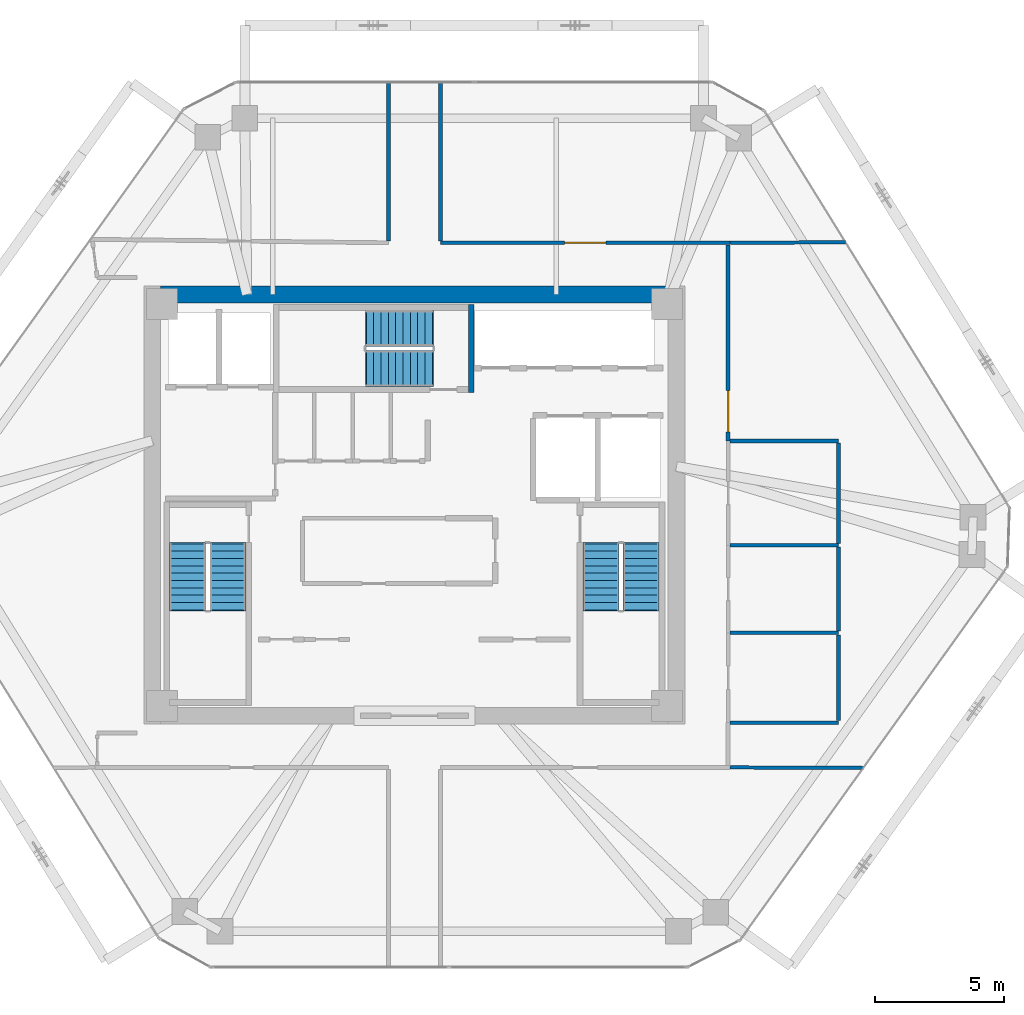
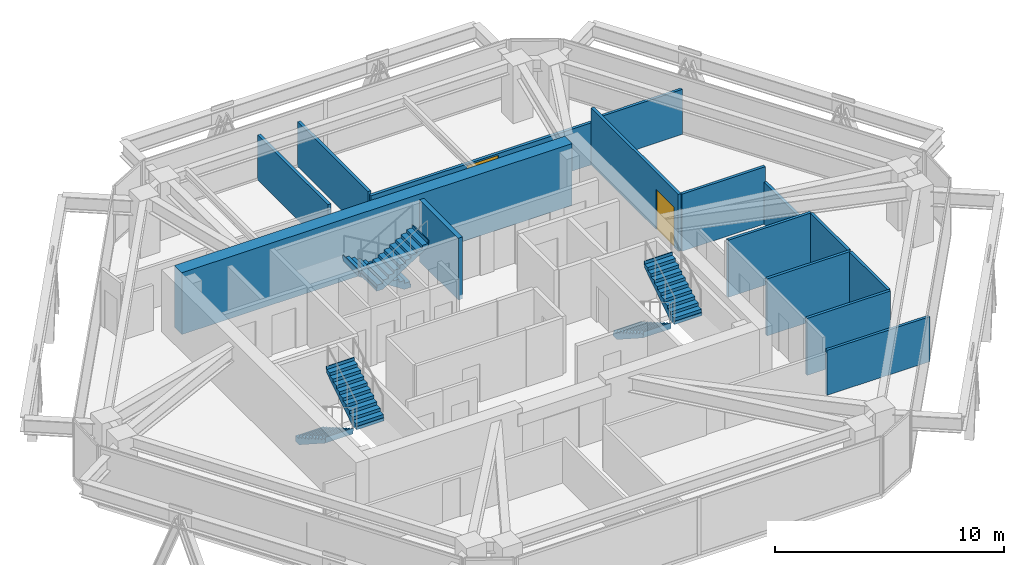
# One storey, part 12 of 13: 15 walls, 6 stair flights, 2 doors, 2 openings, 3 elements without a shape of their own.
"""IFC4 building model written with IfcOpenShell, lengths in metres."""

import ifcopenshell
import ifcopenshell.guid

model = None  # the IFC model being written
_history = None  # IfcOwnerHistory: only IFC2X3 demands one
_inside = {}  # id of a spatial element -> (the spatial element, [elements in it])
_under = {}  # id of a project, library or spatial element -> (it, [spatial elements below it])
_declared = {}  # id of a project -> (the project, [libraries it declares])
_typed = {}  # id of a type object -> (the type object, [elements of that type])
_made_of = {}  # id of a material, layer set ... -> (it, [elements and type objects made of it])


def new_model(schema):
    """Start an empty IFC model of exactly this schema.

    Asked for "IFC4X3", IfcOpenShell would pick the latest addendum, in which some entities
    have other attributes; the version numbers below select the first issue.
    IFC2X3 requires an IfcOwnerHistory on every rooted entity: one is made here for all.
    """
    global model, _history
    if schema == "IFC4X3":
        model = ifcopenshell.file(schema_version=(4, 3, 0, 0))
    else:
        model = ifcopenshell.file(schema=schema)
    _inside.clear()
    _under.clear()
    _declared.clear()
    _typed.clear()
    _made_of.clear()
    _history = None
    if model.schema == "IFC2X3":
        org = make("IfcOrganization", Name="unknown")
        user = make(
            "IfcPersonAndOrganization",
            ThePerson=make("IfcPerson", FamilyName="unknown"),
            TheOrganization=org,
        )
        app = make(
            "IfcApplication",
            ApplicationDeveloper=org,
            Version="unknown",
            ApplicationFullName="unknown",
            ApplicationIdentifier="unknown",
        )
        _history = make(
            "IfcOwnerHistory",
            OwningUser=user,
            OwningApplication=app,
            ChangeAction="ADDED",
            CreationDate=0,
        )
    return model


def make(cls, **values):
    """One entity of the class cls with the attributes given. An attribute that is None is left unset."""
    return model.create_entity(
        cls, **{name: value for name, value in values.items() if value is not None}
    )


def rooted(cls, **values):
    """An entity with a GlobalId (a new one), such as an element, a storey or a relation."""
    return make(cls, GlobalId=ifcopenshell.guid.new(), OwnerHistory=_history, **values)


def si_unit(unit_type, name, prefix=None):
    """IfcSIUnit, for example si_unit("LENGTHUNIT", "METRE", prefix="MILLI")."""
    return make("IfcSIUnit", UnitType=unit_type, Prefix=prefix, Name=name)


def assignment(units):
    """IfcUnitAssignment: the units of a project."""
    return None if units is None else make("IfcUnitAssignment", Units=units)


def point(xyz):
    """IfcCartesianPoint."""
    return None if xyz is None else make("IfcCartesianPoint", Coordinates=xyz)


def direction(xyz):
    """IfcDirection."""
    return None if xyz is None else make("IfcDirection", DirectionRatios=xyz)


def frame(location, z_axis=None, x_axis=None):
    """IfcAxis2Placement3D, a coordinate frame: its origin and axes. An axis left out is left unset."""
    return make(
        "IfcAxis2Placement3D",
        Location=point(location),
        Axis=direction(z_axis),
        RefDirection=direction(x_axis),
    )


def frame_2d(location, x_axis=None):
    """IfcAxis2Placement2D, a coordinate frame in the plane: its origin and x axis."""
    return make(
        "IfcAxis2Placement2D", Location=point(location), RefDirection=direction(x_axis)
    )


def origin():
    """The frame at (0, 0, 0) with its axes left unset."""
    return frame((0.0, 0.0, 0.0))


def place(relative_to, where):
    """IfcLocalPlacement: puts the frame where relative to a parent placement (None: the world)."""
    return make(
        "IfcLocalPlacement", PlacementRelTo=relative_to, RelativePlacement=where
    )


def context(
    kind, dimensions, precision=None, world=None, true_north=None, identifier=None
):
    """IfcGeometricRepresentationContext, for example the 3D "Model" context."""
    return make(
        "IfcGeometricRepresentationContext",
        ContextIdentifier=identifier,
        ContextType=kind,
        CoordinateSpaceDimension=dimensions,
        Precision=precision,
        WorldCoordinateSystem=world,
        TrueNorth=true_north,
    )


def subcontext(parent, identifier, kind, view, scale=None):
    """IfcGeometricRepresentationSubContext, for example "Body" below "Model"."""
    return make(
        "IfcGeometricRepresentationSubContext",
        ContextIdentifier=identifier,
        ContextType=kind,
        ParentContext=parent,
        TargetScale=scale,
        TargetView=view,
    )


def project(units=None, contexts=None):
    """IfcProject with its units and contexts."""
    return rooted(
        "IfcProject",
        Name="project",
        RepresentationContexts=contexts,
        UnitsInContext=assignment(units),
    )


def spatial(cls, under=None, at=None, **own):
    """A site, building, storey or space (cls), placed at a placement, below another one or the project."""
    s = rooted(cls, ObjectPlacement=at, **own)
    if under is not None:
        _under.setdefault(under.id(), (under, []))[1].append(s)
    return s


def polyline(points):
    """IfcPolyline through the points."""
    return make("IfcPolyline", Points=[point(p) for p in points])


def profile(cls, at=None, kind="AREA", **sizes):
    """A parametric profile (cls). Its sizes go by their IFC names, for example OverallWidth=200.0."""
    return make(cls, ProfileType=kind, Position=at, **sizes)


def rectangle(**sizes):
    """IfcRectangleProfileDef."""
    return profile("IfcRectangleProfileDef", **sizes)


def outline(outer, holes=None, kind="AREA"):
    """IfcArbitraryClosedProfileDef: a profile drawn as a closed curve; with holes, ...WithVoids."""
    if holes is None:
        return make("IfcArbitraryClosedProfileDef", ProfileType=kind, OuterCurve=outer)
    return make(
        "IfcArbitraryProfileDefWithVoids",
        ProfileType=kind,
        OuterCurve=outer,
        InnerCurves=holes,
    )


def extrude(swept, where, along, depth):
    """IfcExtrudedAreaSolid: the profile swept, set in the frame where, extruded along a direction by depth."""
    return make(
        "IfcExtrudedAreaSolid",
        SweptArea=swept,
        Position=where,
        ExtrudedDirection=direction(along),
        Depth=depth,
    )


def shape(context_of_items, identifier, shape_type, items):
    """IfcShapeRepresentation: the items that make up one representation, for example the "Body"."""
    return make(
        "IfcShapeRepresentation",
        ContextOfItems=context_of_items,
        RepresentationIdentifier=identifier,
        RepresentationType=shape_type,
        Items=items,
    )


def source(mapping_origin, context_of_items, identifier, shape_type, items):
    """IfcRepresentationMap: a shape defined once, which mapped items show again and again."""
    return make(
        "IfcRepresentationMap",
        MappingOrigin=mapping_origin,
        MappedRepresentation=shape(context_of_items, identifier, shape_type, items),
    )


def transform(
    local_origin,
    x_axis=None,
    y_axis=None,
    z_axis=None,
    scale=None,
    scale2=None,
    scale3=None,
    uniform=True,
):
    """IfcCartesianTransformationOperator3D, or its non-uniform kind. x_axis, y_axis, z_axis: its Axis1, 2, 3."""
    if uniform:
        return make(
            "IfcCartesianTransformationOperator3D",
            Axis1=direction(x_axis),
            Axis2=direction(y_axis),
            LocalOrigin=point(local_origin),
            Scale=scale,
            Axis3=direction(z_axis),
        )
    return make(
        "IfcCartesianTransformationOperator3DnonUniform",
        Axis1=direction(x_axis),
        Axis2=direction(y_axis),
        LocalOrigin=point(local_origin),
        Scale=scale,
        Axis3=direction(z_axis),
        Scale2=scale2,
        Scale3=scale3,
    )


def mapped(mapping_source, mapping_target):
    """IfcMappedItem: shows the shape of a source again, moved by a transform."""
    return make(
        "IfcMappedItem", MappingSource=mapping_source, MappingTarget=mapping_target
    )


def material(Name=None, Category=None):
    """IfcMaterial."""
    return make("IfcMaterial", Name=Name, Category=Category)


def layer(
    of_material, thickness, ventilated=None, Name=None, Category=None, Priority=None
):
    """IfcMaterialLayer: one layer of a wall or slab, of a material (None: an air gap)."""
    return make(
        "IfcMaterialLayer",
        Material=of_material,
        LayerThickness=thickness,
        IsVentilated=ventilated,
        Name=Name,
        Category=Category,
        Priority=Priority,
    )


def layer_set(layers, Name=None):
    """IfcMaterialLayerSet."""
    return make("IfcMaterialLayerSet", MaterialLayers=layers, LayerSetName=Name)


def made_of(thing, what):
    """Note that an element or type object is made of a material, layer set ...; save() writes the relation."""
    if what is not None:
        _made_of.setdefault(what.id(), (what, []))[1].append(thing)
    return thing


def type_object(cls, material=None, **own):
    """A type object (cls), such as IfcWallType, which elements share."""
    return made_of(rooted(cls, **own), material)


def type_shapes(of_type, sources):
    """Give a type object the sources (RepresentationMaps) that its elements show as mapped items."""
    of_type.RepresentationMaps = sources


def element(
    cls,
    number,
    at=None,
    inside=None,
    cuts=None,
    type_object=None,
    material=None,
    context=None,
    identifier="Body",
    shape_type=None,
    held_by="IfcProductDefinitionShape",
    body=None,
    shapes=None,
    **own,
):
    """One element of the class cls, such as IfcWall. Its Tag is "e" and its number.

    at: its placement. inside: the storey or other place that contains it. cuts: it is an
    opening in that element (IfcRelVoidsElement). A single representation is given by context,
    identifier, shape_type and body (its items); several are given by shapes. held_by: the class
    of the entity that holds the representations. save() writes the other relations.
    """
    e = rooted(cls, Tag="e%d" % number, ObjectPlacement=at, **own)
    if body is not None:
        shapes = [shape(context, identifier, shape_type, body)]
    if shapes is not None:
        e.Representation = make(held_by, Representations=shapes)
    if inside is not None:
        _inside.setdefault(inside.id(), (inside, []))[1].append(e)
    if cuts is not None:
        rooted(
            "IfcRelVoidsElement", RelatingBuildingElement=cuts, RelatedOpeningElement=e
        )
    if type_object is not None:
        _typed.setdefault(type_object.id(), (type_object, []))[1].append(e)
    return made_of(e, material)


def fill(opening, filler):
    """IfcRelFillsElement: the door or window that sits in an opening."""
    return rooted(
        "IfcRelFillsElement",
        RelatingOpeningElement=opening,
        RelatedBuildingElement=filler,
    )


def aggregate(whole, parts):
    """IfcRelAggregates: a whole, such as a stair, and the parts it consists of."""
    return rooted("IfcRelAggregates", RelatingObject=whole, RelatedObjects=parts)


def save(model, path):
    """Write the relations noted so far, then the file.

    IfcRelAggregates (storeys below a building ...), IfcRelContainedInSpatialStructure (elements
    in a storey), IfcRelDefinesByType, IfcRelAssociatesMaterial and IfcRelDeclares: one each for
    every whole, place, type object, material and project.
    """
    for whole, parts in _under.values():
        aggregate(whole, parts)
    for where, things in _inside.values():
        rooted(
            "IfcRelContainedInSpatialStructure",
            RelatedElements=things,
            RelatingStructure=where,
        )
    for kind, things in _typed.values():
        rooted("IfcRelDefinesByType", RelatedObjects=things, RelatingType=kind)
    for what, things in _made_of.values():
        rooted("IfcRelAssociatesMaterial", RelatedObjects=things, RelatingMaterial=what)
    for by, libraries in _declared.values():
        rooted("IfcRelDeclares", RelatingContext=by, RelatedDefinitions=libraries)
    model.write(path)


model = new_model("IFC4")

# Units and contexts
model_context = context("Model", 3, precision=1e-05, world=origin(), true_north=direction((0.0, 1.0)))
body_context = subcontext(model_context, "Body", "Model", "MODEL_VIEW")
ifc_project = project(units=[si_unit("LENGTHUNIT", "METRE"), si_unit("AREAUNIT", "SQUARE_METRE"), si_unit("VOLUMEUNIT", "CUBIC_METRE"), si_unit("PLANEANGLEUNIT", "RADIAN"), si_unit("MASSUNIT", "GRAM", prefix="KILO")], contexts=[model_context])

# Site, building, storey
site_placement = place(None, origin())
site = spatial("IfcSite", under=ifc_project, at=site_placement, CompositionType="ELEMENT")
building_placement = place(site_placement, origin())
building = spatial("IfcBuilding", under=site, at=building_placement, Name="Durnholm Broadcast Tower", CompositionType="ELEMENT")
storey_placement = place(building_placement, frame((0.0, 0.0, 167.199951171875)))
storey = spatial("IfcBuildingStorey", under=building, at=storey_placement, Name="L45", CompositionType="ELEMENT", Elevation=167.199951171875)

# Walls
ifc_material_1 = material(Name="Concrete C70/85", Category="concrete")
ifc_layer_1 = layer(ifc_material_1, 0.64990234375)
ifc_layer_set_1 = layer_set([ifc_layer_1], Name="Concrete C70/85")
wall_type_1 = type_object("IfcWallType", Name="WALL-CW-650", PredefinedType="SHEAR", material=ifc_layer_set_1)
wall_1_placement = place(storey_placement, frame((-9.85009765625, 8.175048828125, 0.0), z_axis=(0.0, 0.0, 1.0), x_axis=(1.0, 0.0, 0.0)))
element("IfcWall", 1, at=wall_1_placement, inside=storey, type_object=wall_type_1, Name="L45 central core shear wall CW-N", PredefinedType="SHEAR", context=body_context, shape_type="SweptSolid", body=[
    extrude(rectangle(XDim=19.7001953125, YDim=0.64990234375, at=frame_2d((9.85009765625, 0.0))), origin(), (0.0, 0.0, 1.0), 3.300048828125),
])
ifc_material_2 = material(Name="Gypsum Metal Stud Partition", Category="concrete")
ifc_layer_2 = layer(ifc_material_2, 0.135009765625)
ifc_layer_set_2 = layer_set([ifc_layer_2], Name="Gypsum Metal Stud Partition")
wall_type_2 = type_object("IfcWallType", Name="WALL-PART-135", PredefinedType="PARTITIONING", material=ifc_layer_set_2)
wall_2_placement = place(storey_placement, frame((16.739990234375, 10.200927734375, 0.0), z_axis=(0.0, 0.0, 1.0), x_axis=(-0.999989522694, -0.004577608714, 0.0)))
element("IfcWall", 2, at=wall_2_placement, inside=storey, type_object=wall_type_2, Name="L45 room dividing partition 14.19", PredefinedType="PARTITIONING", context=body_context, shape_type="SweptSolid", body=[
    extrude(rectangle(XDim=4.47998046875, YDim=0.135009765625, at=frame_2d((2.239990234375, 0.0))), origin(), (0.0, 0.0, 1.0), 2.39892578125),
])
wall_3_placement = place(storey_placement, frame((12.260009765625, -10.180419921875, 0.0), z_axis=(0.0, 0.0, 1.0), x_axis=(0.999990144117, -0.004439782427, 0.0)))
element("IfcWall", 3, at=wall_3_placement, inside=storey, type_object=wall_type_2, Name="L45 room dividing partition 16.19", PredefinedType="PARTITIONING", context=body_context, shape_type="SweptSolid", body=[
    extrude(rectangle(XDim=5.1689453125, YDim=0.135009765625, at=frame_2d((2.58447265625, 0.0))), origin(), (0.0, 0.0, 1.0), 2.39892578125),
])
ifc_material_3 = material(Name="Acoustic Gypsum Stud Partition", Category="concrete")
ifc_layer_3 = layer(ifc_material_3, 0.14990234375)
ifc_layer_set_3 = layer_set([ifc_layer_3], Name="Acoustic Gypsum Stud Partition")
wall_type_3 = type_object("IfcWallType", Name="WALL-PART-150", PredefinedType="PARTITIONING", material=ifc_layer_set_3)
wall_4_placement = place(storey_placement, frame((-1.010009765625, 16.41796875, 0.0), z_axis=(0.0, 0.0, 1.0), x_axis=(0.0, -1.0, 0.0)))
element("IfcWall", 4, at=wall_4_placement, inside=storey, type_object=wall_type_3, Name="L45 Open Plan Broadcast Workspace 2 corridor partition", PredefinedType="PARTITIONING", context=body_context, shape_type="SweptSolid", body=[
    extrude(rectangle(XDim=6.158935546875, YDim=0.14990234375, at=frame_2d((3.07958984375, 0.0))), origin(), (0.0, 0.0, 1.0), 2.39892578125),
])

# Wall, opening, door
wall_5_placement = place(storey_placement, frame((12.260009765625, 10.179931640625, 0.0), z_axis=(0.0, 0.0, 1.0), x_axis=(-1.0, 0.0, 0.0)))
wall_5 = element("IfcWall", 5, at=wall_5_placement, inside=storey, type_object=wall_type_3, Name="L45 Immersive Audio Auditorium corridor partition", PredefinedType="PARTITIONING", context=body_context, shape_type="SweptSolid", body=[
    extrude(rectangle(XDim=11.25, YDim=0.14990234375, at=frame_2d((5.625, 0.0))), origin(), (0.0, 0.0, 1.0), 2.241943359375),
])
opening_1_placement = place(wall_5_placement, frame((4.824951171875, 0.0, 0.0)))
opening_1 = element("IfcOpeningElement", 6, at=opening_1_placement, cuts=wall_5, Name="Opening DST-160", PredefinedType="OPENING", context=body_context, shape_type="SweptSolid", body=[
    extrude(rectangle(XDim=1.60009765625, YDim=2.14990234375, at=frame_2d((0.800048828125, 1.074951171875))), frame((0.0, 0.0849609375, 0.0), z_axis=(0.0, -1.0, 0.0), x_axis=(1.0, 0.0, 0.0)), (0.0, 0.0, 1.0), 0.169921875),
])
ifc_material_4 = material(Name="Acoustic Broadcast Studio Sound-Lock Door", Category="steel")
ifc_layer_4 = layer(ifc_material_4, 0.050048828125)
ifc_layer_set_4 = layer_set([ifc_layer_4], Name="Acoustic Broadcast Studio Sound-Lock Door")
door_type = type_object("IfcDoorType", Name="DOOR-STU-1600", OperationType="DOUBLE_DOOR_SINGLE_SWING", PredefinedType="DOOR", material=ifc_layer_set_4)
shared_shape = source(origin(), body_context, "Body", "SweptSolid", [
    extrude(rectangle(XDim=1.60009765625, YDim=2.14990234375, at=frame_2d((0.800048828125, 1.074951171875))), frame((0.0, 0.02490234375, 0.0), z_axis=(0.0, -1.0, 0.0), x_axis=(1.0, 0.0, 0.0)), (0.0, 0.0, 1.0), 0.050048828125),
])
type_shapes(door_type, [shared_shape])
door_1_placement = place(opening_1_placement, origin())
door_1 = element("IfcDoor", 7, at=door_1_placement, inside=storey, type_object=door_type, Name="L45 Immersive Audio Auditorium entrance door", OperationType="DOUBLE_DOOR_SINGLE_SWING", OverallHeight=2.14990234375, OverallWidth=1.60009765625, PredefinedType="DOOR", context=body_context, shape_type="MappedRepresentation", body=[
    mapped(shared_shape, transform((0.0, 0.0, 0.0), x_axis=(1.0, 0.0, 0.0), y_axis=(0.0, 1.0, 0.0), z_axis=(0.0, 0.0, 1.0), scale=1.0)),
])
fill(opening_1, door_1)

# Wall
wall_6_placement = place(storey_placement, frame((1.010009765625, 10.259033203125, 0.0), z_axis=(0.0, 0.0, 1.0), x_axis=(0.0, 1.0, 0.0)))
element("IfcWall", 8, at=wall_6_placement, inside=storey, type_object=wall_type_3, Name="L45 Immersive Audio Auditorium corridor partition", PredefinedType="PARTITIONING", context=body_context, shape_type="SweptSolid", body=[
    extrude(rectangle(XDim=6.158935546875, YDim=0.14990234375, at=frame_2d((3.07958984375, 0.0))), origin(), (0.0, 0.0, 1.0), 2.39892578125),
])

# Wall, opening, door
wall_7_placement = place(storey_placement, frame((12.179931640625, 2.489990234375, 0.0), z_axis=(0.0, 0.0, 1.0), x_axis=(0.0, 1.0, 0.0)))
wall_7 = element("IfcWall", 9, at=wall_7_placement, inside=storey, type_object=wall_type_3, Name="L45 Immersive Audio Auditorium corridor partition", PredefinedType="PARTITIONING", context=body_context, shape_type="SweptSolid", body=[
    extrude(rectangle(XDim=7.611083984375, YDim=0.14990234375, at=frame_2d((3.8056640625, 0.0))), origin(), (0.0, 0.0, 1.0), 3.045166015625),
])
opening_2_placement = place(wall_7_placement, frame((0.35009765625, 0.0, 0.0)))
opening_2 = element("IfcOpeningElement", 10, at=opening_2_placement, cuts=wall_7, Name="Opening DST-160", PredefinedType="OPENING", context=body_context, shape_type="SweptSolid", body=[
    extrude(rectangle(XDim=1.60009765625, YDim=2.14990234375, at=frame_2d((0.800048828125, 1.074951171875))), frame((0.0, 0.0849609375, 0.0), z_axis=(0.0, -1.0, 0.0), x_axis=(1.0, 0.0, 0.0)), (0.0, 0.0, 1.0), 0.169921875),
])
door_2_placement = place(opening_2_placement, origin())
door_2 = element("IfcDoor", 11, at=door_2_placement, inside=storey, type_object=door_type, Name="L45 Immersive Audio Auditorium entrance door", OperationType="DOUBLE_DOOR_SINGLE_SWING", OverallHeight=2.14990234375, OverallWidth=1.60009765625, PredefinedType="DOOR", context=body_context, shape_type="MappedRepresentation", body=[
    mapped(shared_shape, transform((0.0, 0.0, 0.0), x_axis=(1.0, 0.0, 0.0), y_axis=(0.0, 1.0, 0.0), z_axis=(0.0, 0.0, 1.0), scale=1.0)),
])
fill(opening_2, door_2)

# Walls
ifc_material_5 = material(Name="Concrete C50/60", Category="concrete")
ifc_layer_5 = layer(ifc_material_5, 0.219970703125)
ifc_layer_set_5 = layer_set([ifc_layer_5], Name="Concrete C50/60")
wall_type_4 = type_object("IfcWallType", Name="WALL-SW-220", PredefinedType="SHEAR", material=ifc_layer_set_5)
wall_8_placement = place(storey_placement, frame((2.2099609375, 4.3798828125, -0.239990234375), z_axis=(0.0, 0.0, 1.0), x_axis=(0.0, 1.0, 0.0)))
element("IfcWall", 12, at=wall_8_placement, inside=storey, type_object=wall_type_4, Name="L45 stair ST-3 structural shaft wall E", PredefinedType="SHEAR", context=body_context, shape_type="SweptSolid", body=[
    extrude(rectangle(XDim=3.400146484375, YDim=0.219970703125, at=frame_2d((1.7001953125, 0.0))), origin(), (0.0, 0.0, 1.0), 3.300048828125),
])
ifc_material_6 = material(Name="Moisture-Resistant Tile Partition", Category="concrete")
ifc_layer_6 = layer(ifc_material_6, 0.139892578125)
ifc_layer_set_6 = layer_set([ifc_layer_6], Name="Moisture-Resistant Tile Partition")
wall_type_5 = type_object("IfcWallType", Name="WALL-WC-140", PredefinedType="PARTITIONING", material=ifc_layer_set_6)
wall_9_placement = place(storey_placement, frame((12.25390625, -4.9599609375, 0.0), z_axis=(0.0, 0.0, 1.0), x_axis=(1.0, 0.0, 0.0)))
element("IfcWall", 13, at=wall_9_placement, inside=storey, type_object=wall_type_5, Name="L45 room dividing partition 10.11", PredefinedType="PARTITIONING", context=body_context, shape_type="SweptSolid", body=[
    extrude(rectangle(XDim=4.2060546875, YDim=0.139892578125, at=frame_2d((2.10302734375, 0.0))), origin(), (0.0, 0.0, 1.0), 3.045166015625),
])
wall_10_placement = place(storey_placement, frame((16.4599609375, -8.43994140625, 0.0), z_axis=(0.0, 0.0, 1.0), x_axis=(-1.0, 0.0, 0.0)))
element("IfcWall", 14, at=wall_10_placement, inside=storey, type_object=wall_type_5, Name="L45 room dividing partition 10.19", PredefinedType="PARTITIONING", context=body_context, shape_type="SweptSolid", body=[
    extrude(rectangle(XDim=4.200927734375, YDim=0.139892578125, at=frame_2d((2.1005859375, 0.0))), origin(), (0.0, 0.0, 1.0), 3.045166015625),
])
wall_11_placement = place(storey_placement, frame((16.4599609375, -5.033935546875, 0.0), z_axis=(0.0, 0.0, 1.0), x_axis=(0.0, -1.0, 0.0)))
element("IfcWall", 15, at=wall_11_placement, inside=storey, type_object=wall_type_5, Name="L45 room dividing partition 10.19", PredefinedType="PARTITIONING", context=body_context, shape_type="SweptSolid", body=[
    extrude(rectangle(XDim=3.33203125, YDim=0.139892578125, at=frame_2d((1.666015625, 0.0))), origin(), (0.0, 0.0, 1.0), 3.045166015625),
])
wall_12_placement = place(storey_placement, frame((12.25390625, -1.56005859375, 0.0), z_axis=(0.0, 0.0, 1.0), x_axis=(1.0, 0.0, 0.0)))
element("IfcWall", 16, at=wall_12_placement, inside=storey, type_object=wall_type_5, Name="L45 room dividing partition 11.12", PredefinedType="PARTITIONING", context=body_context, shape_type="SweptSolid", body=[
    extrude(rectangle(XDim=4.2060546875, YDim=0.139892578125, at=frame_2d((2.10302734375, 0.0))), origin(), (0.0, 0.0, 1.0), 3.045166015625),
])
wall_13_placement = place(storey_placement, frame((16.4599609375, -1.634033203125, 0.0), z_axis=(0.0, 0.0, 1.0), x_axis=(0.0, -1.0, 0.0)))
element("IfcWall", 17, at=wall_13_placement, inside=storey, type_object=wall_type_5, Name="L45 room dividing partition 11.19", PredefinedType="PARTITIONING", context=body_context, shape_type="SweptSolid", body=[
    extrude(rectangle(XDim=3.251953125, YDim=0.139892578125, at=frame_2d((1.6259765625, 0.0))), origin(), (0.0, 0.0, 1.0), 3.045166015625),
])
wall_14_placement = place(storey_placement, frame((12.259033203125, 2.489990234375, 0.0), z_axis=(0.0, 0.0, 1.0), x_axis=(1.0, 0.0, 0.0)))
element("IfcWall", 18, at=wall_14_placement, inside=storey, type_object=wall_type_5, Name="L45 room dividing partition 12.19", PredefinedType="PARTITIONING", context=body_context, shape_type="SweptSolid", body=[
    extrude(rectangle(XDim=4.200927734375, YDim=0.139892578125, at=frame_2d((2.1005859375, 0.0))), origin(), (0.0, 0.0, 1.0), 3.045166015625),
])
wall_15_placement = place(storey_placement, frame((16.4599609375, 2.416015625, 0.0), z_axis=(0.0, 0.0, 1.0), x_axis=(0.0, -1.0, 0.0)))
element("IfcWall", 19, at=wall_15_placement, inside=storey, type_object=wall_type_5, Name="L45 room dividing partition 12.19", PredefinedType="PARTITIONING", context=body_context, shape_type="SweptSolid", body=[
    extrude(rectangle(XDim=3.902099609375, YDim=0.139892578125, at=frame_2d((1.951171875, 0.0))), origin(), (0.0, 0.0, 1.0), 2.241943359375),
])

# Stair, stair flights
stair_type = type_object("IfcStairType", Name="STAIR-DL-20R1650", PredefinedType="HALF_TURN_STAIR", material=ifc_material_5)
stair_1_placement = place(storey_placement, origin())
stair_1 = element("IfcStair", 20, at=stair_1_placement, inside=storey, type_object=stair_type, Name="L45 ST-1", PredefinedType="HALF_TURN_STAIR")
stair_flight_type = type_object("IfcStairFlightType", Name="FLIGHT-DL-20R1650", PredefinedType="STRAIGHT", material=ifc_material_5)
stair_flight_1_placement = place(storey_placement, frame((-8.800048828125, -1.5, 0.0), z_axis=(0.0, 0.0, 1.0), x_axis=(0.0, -1.0, 0.0)))
stair_flight_1 = element("IfcStairFlight", 21, at=stair_flight_1_placement, type_object=stair_flight_type, Name="ST-1 flight 1", NumberOfRisers=10, NumberOfTreads=9, PredefinedType="STRAIGHT", RiserHeight=0.165, TreadLength=0.285, context=body_context, shape_type="SweptSolid", body=[
    extrude(outline(polyline([(-0.0400390625, -0.14990234375), (-0.0400390625, 0.0), (0.0, 0.0), (0.0, 0.1650390625), (0.284912109375, 0.1650390625), (0.284912109375, 0.330078125), (0.570068359375, 0.330078125), (0.570068359375, 0.4951171875), (0.85498046875, 0.4951171875), (0.85498046875, 0.659912109375), (1.139892578125, 0.659912109375), (1.139892578125, 0.824951171875), (1.425048828125, 0.824951171875), (1.425048828125, 0.989990234375), (1.7099609375, 0.989990234375), (1.7099609375, 1.155029296875), (1.9951171875, 1.155029296875), (1.9951171875, 1.320068359375), (2.280029296875, 1.320068359375), (2.280029296875, 1.485107421875), (2.56494140625, 1.485107421875), (2.56494140625, 1.64990234375), (2.60498046875, 1.64990234375), (2.60498046875, 1.5), (2.56494140625, 1.311767578125), (0.299072265625, -0.14990234375), (-0.0400390625, -0.14990234375)])), frame((0.0, 0.699951171875, 0.0), z_axis=(0.0, -1.0, 0.0), x_axis=(1.0, 0.0, 0.0)), (0.0, 0.0, 1.0), 1.39990234375),
])
stair_flight_2_placement = place(storey_placement, frame((-7.239990234375, -4.06494140625, 1.650146484375), z_axis=(0.0, 0.0, 1.0), x_axis=(0.0, 1.0, 0.0)))
stair_flight_2 = element("IfcStairFlight", 22, at=stair_flight_2_placement, type_object=stair_flight_type, Name="ST-1 flight 2", NumberOfRisers=10, NumberOfTreads=9, PredefinedType="STRAIGHT", RiserHeight=0.165, TreadLength=0.285, context=body_context, shape_type="SweptSolid", body=[
    extrude(outline(polyline([(-0.0400390625, -0.14990234375), (-0.0400390625, 0.0), (0.0, 0.0), (0.0, 0.1650390625), (0.284912109375, 0.1650390625), (0.284912109375, 0.330078125), (0.570068359375, 0.330078125), (0.570068359375, 0.4951171875), (0.85498046875, 0.4951171875), (0.85498046875, 0.659912109375), (1.139892578125, 0.659912109375), (1.139892578125, 0.824951171875), (1.425048828125, 0.824951171875), (1.425048828125, 0.989990234375), (1.7099609375, 0.989990234375), (1.7099609375, 1.155029296875), (1.9951171875, 1.155029296875), (1.9951171875, 1.320068359375), (2.280029296875, 1.320068359375), (2.280029296875, 1.485107421875), (2.56494140625, 1.485107421875), (2.56494140625, 1.64990234375), (2.60498046875, 1.64990234375), (2.60498046875, 1.5), (2.56494140625, 1.311767578125), (0.299072265625, -0.14990234375), (-0.0400390625, -0.14990234375)])), frame((0.0, 0.699951171875, 0.0), z_axis=(0.0, -1.0, 0.0), x_axis=(1.0, 0.0, 0.0)), (0.0, 0.0, 1.0), 1.39990234375),
])
aggregate(stair_1, [stair_flight_1, stair_flight_2])

stair_2_placement = place(storey_placement, origin())
stair_2 = element("IfcStair", 23, at=stair_2_placement, inside=storey, type_object=stair_type, Name="L45 ST-2", PredefinedType="HALF_TURN_STAIR")
stair_flight_3_placement = place(storey_placement, frame((7.239990234375, -1.5, 0.0), z_axis=(0.0, 0.0, 1.0), x_axis=(0.0, -1.0, 0.0)))
stair_flight_3 = element("IfcStairFlight", 24, at=stair_flight_3_placement, type_object=stair_flight_type, Name="ST-2 flight 1", NumberOfRisers=10, NumberOfTreads=9, PredefinedType="STRAIGHT", RiserHeight=0.165, TreadLength=0.285, context=body_context, shape_type="SweptSolid", body=[
    extrude(outline(polyline([(-0.0400390625, -0.14990234375), (-0.0400390625, 0.0), (0.0, 0.0), (0.0, 0.1650390625), (0.284912109375, 0.1650390625), (0.284912109375, 0.330078125), (0.570068359375, 0.330078125), (0.570068359375, 0.4951171875), (0.85498046875, 0.4951171875), (0.85498046875, 0.659912109375), (1.139892578125, 0.659912109375), (1.139892578125, 0.824951171875), (1.425048828125, 0.824951171875), (1.425048828125, 0.989990234375), (1.7099609375, 0.989990234375), (1.7099609375, 1.155029296875), (1.9951171875, 1.155029296875), (1.9951171875, 1.320068359375), (2.280029296875, 1.320068359375), (2.280029296875, 1.485107421875), (2.56494140625, 1.485107421875), (2.56494140625, 1.64990234375), (2.60498046875, 1.64990234375), (2.60498046875, 1.5), (2.56494140625, 1.311767578125), (0.299072265625, -0.14990234375), (-0.0400390625, -0.14990234375)])), frame((0.0, 0.699951171875, 0.0), z_axis=(0.0, -1.0, 0.0), x_axis=(1.0, 0.0, 0.0)), (0.0, 0.0, 1.0), 1.39990234375),
])
stair_flight_4_placement = place(storey_placement, frame((8.800048828125, -4.06494140625, 1.650146484375), z_axis=(0.0, 0.0, 1.0), x_axis=(0.0, 1.0, 0.0)))
stair_flight_4 = element("IfcStairFlight", 25, at=stair_flight_4_placement, type_object=stair_flight_type, Name="ST-2 flight 2", NumberOfRisers=10, NumberOfTreads=9, PredefinedType="STRAIGHT", RiserHeight=0.165, TreadLength=0.285, context=body_context, shape_type="SweptSolid", body=[
    extrude(outline(polyline([(-0.0400390625, -0.14990234375), (-0.0400390625, 0.0), (0.0, 0.0), (0.0, 0.1650390625), (0.284912109375, 0.1650390625), (0.284912109375, 0.330078125), (0.570068359375, 0.330078125), (0.570068359375, 0.4951171875), (0.85498046875, 0.4951171875), (0.85498046875, 0.659912109375), (1.139892578125, 0.659912109375), (1.139892578125, 0.824951171875), (1.425048828125, 0.824951171875), (1.425048828125, 0.989990234375), (1.7099609375, 0.989990234375), (1.7099609375, 1.155029296875), (1.9951171875, 1.155029296875), (1.9951171875, 1.320068359375), (2.280029296875, 1.320068359375), (2.280029296875, 1.485107421875), (2.56494140625, 1.485107421875), (2.56494140625, 1.64990234375), (2.60498046875, 1.64990234375), (2.60498046875, 1.5), (2.56494140625, 1.311767578125), (0.299072265625, -0.14990234375), (-0.0400390625, -0.14990234375)])), frame((0.0, 0.699951171875, 0.0), z_axis=(0.0, -1.0, 0.0), x_axis=(1.0, 0.0, 0.0)), (0.0, 0.0, 1.0), 1.39990234375),
])
aggregate(stair_2, [stair_flight_3, stair_flight_4])

stair_3_placement = place(storey_placement, origin())
stair_3 = element("IfcStair", 26, at=stair_3_placement, inside=storey, type_object=stair_type, Name="L45 ST-3", PredefinedType="HALF_TURN_STAIR")
stair_flight_5_placement = place(storey_placement, frame((0.699951171875, 6.860107421875, 0.0), z_axis=(0.0, 0.0, 1.0), x_axis=(-1.0, 0.0, 0.0)))
stair_flight_5 = element("IfcStairFlight", 27, at=stair_flight_5_placement, type_object=stair_flight_type, Name="ST-3 flight 1", NumberOfRisers=10, NumberOfTreads=9, PredefinedType="STRAIGHT", RiserHeight=0.165, TreadLength=0.285, context=body_context, shape_type="SweptSolid", body=[
    extrude(outline(polyline([(-0.0400390625, -0.14990234375), (-0.0400390625, 0.0), (0.0, 0.0), (0.0, 0.1650390625), (0.284912109375, 0.1650390625), (0.284912109375, 0.330078125), (0.570068359375, 0.330078125), (0.570068359375, 0.4951171875), (0.85498046875, 0.4951171875), (0.85498046875, 0.659912109375), (1.139892578125, 0.659912109375), (1.139892578125, 0.824951171875), (1.425048828125, 0.824951171875), (1.425048828125, 0.989990234375), (1.7099609375, 0.989990234375), (1.7099609375, 1.155029296875), (1.9951171875, 1.155029296875), (1.9951171875, 1.320068359375), (2.280029296875, 1.320068359375), (2.280029296875, 1.485107421875), (2.56494140625, 1.485107421875), (2.56494140625, 1.64990234375), (2.60498046875, 1.64990234375), (2.60498046875, 1.5), (2.56494140625, 1.311767578125), (0.299072265625, -0.14990234375), (-0.0400390625, -0.14990234375)])), frame((0.0, 0.699951171875, 0.0), z_axis=(0.0, -1.0, 0.0), x_axis=(1.0, 0.0, 0.0)), (0.0, 0.0, 1.0), 1.39990234375),
])
stair_flight_6_placement = place(storey_placement, frame((-1.864990234375, 5.300048828125, 1.650146484375), z_axis=(0.0, 0.0, 1.0), x_axis=(1.0, 0.0, 0.0)))
stair_flight_6 = element("IfcStairFlight", 28, at=stair_flight_6_placement, type_object=stair_flight_type, Name="ST-3 flight 2", NumberOfRisers=10, NumberOfTreads=9, PredefinedType="STRAIGHT", RiserHeight=0.165, TreadLength=0.285, context=body_context, shape_type="SweptSolid", body=[
    extrude(outline(polyline([(-0.0400390625, -0.14990234375), (-0.0400390625, 0.0), (0.0, 0.0), (0.0, 0.1650390625), (0.284912109375, 0.1650390625), (0.284912109375, 0.330078125), (0.570068359375, 0.330078125), (0.570068359375, 0.4951171875), (0.85498046875, 0.4951171875), (0.85498046875, 0.659912109375), (1.139892578125, 0.659912109375), (1.139892578125, 0.824951171875), (1.425048828125, 0.824951171875), (1.425048828125, 0.989990234375), (1.7099609375, 0.989990234375), (1.7099609375, 1.155029296875), (1.9951171875, 1.155029296875), (1.9951171875, 1.320068359375), (2.280029296875, 1.320068359375), (2.280029296875, 1.485107421875), (2.56494140625, 1.485107421875), (2.56494140625, 1.64990234375), (2.60498046875, 1.64990234375), (2.60498046875, 1.5), (2.56494140625, 1.311767578125), (0.299072265625, -0.14990234375), (-0.0400390625, -0.14990234375)])), frame((0.0, 0.699951171875, 0.0), z_axis=(0.0, -1.0, 0.0), x_axis=(1.0, 0.0, 0.0)), (0.0, 0.0, 1.0), 1.39990234375),
])
aggregate(stair_3, [stair_flight_5, stair_flight_6])

save(model, "model.ifc")
